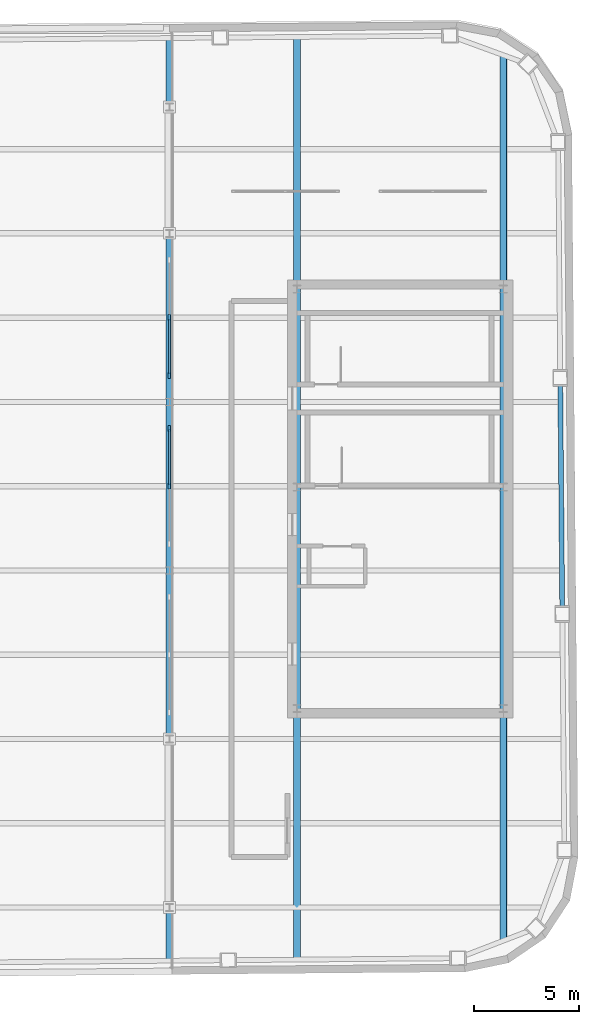
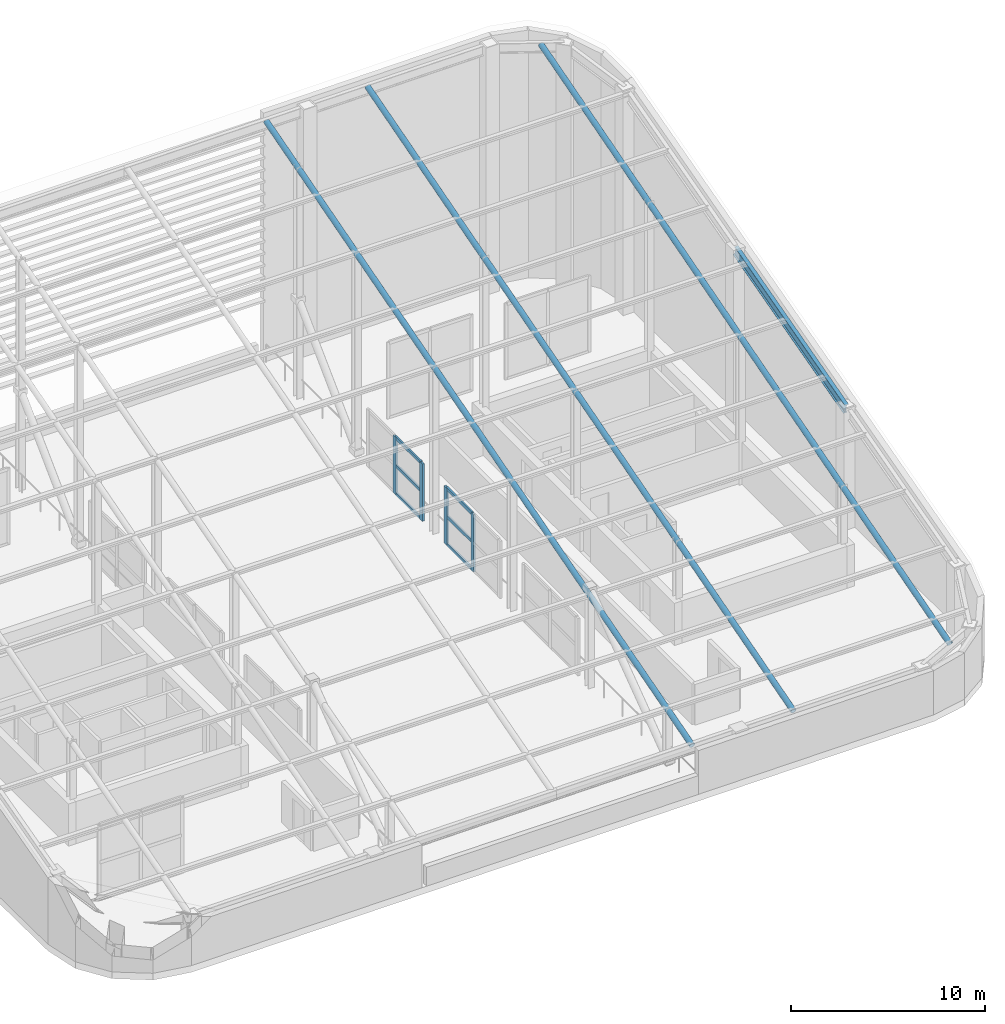
# One storey, part 10 of 17: 13 members, 1 beam, 2 elements without a shape of their own.
"""IFC4 building model written with IfcOpenShell, lengths in metres."""

from ifc_helpers import new_model, si_unit, direction, frame, origin, origin_2d, place, context, subcontext, project, spatial, rectangle, hollow_circle, i_section, extrude, material, material_profile, profile_set, type_object, element, aggregate, save


model = new_model("IFC4")

# Units and contexts
model_context = context("Model", 3, precision=1e-05, world=origin(), true_north=direction((0.0, 1.0)))
body_context = subcontext(model_context, "Body", "Model", "MODEL_VIEW")
ifc_project = project(units=[si_unit("LENGTHUNIT", "METRE"), si_unit("AREAUNIT", "SQUARE_METRE"), si_unit("VOLUMEUNIT", "CUBIC_METRE"), si_unit("PLANEANGLEUNIT", "RADIAN"), si_unit("MASSUNIT", "GRAM", prefix="KILO")], contexts=[model_context])

# Site, building, storey
site_placement = place(None, origin())
site = spatial("IfcSite", under=ifc_project, at=site_placement, CompositionType="ELEMENT")
building_placement = place(site_placement, origin())
building = spatial("IfcBuilding", under=site, at=building_placement, Name="Kolvaren Arena Tower", CompositionType="ELEMENT")
storey_placement = place(building_placement, frame((0.0, 0.0, 322.0)))
storey = spatial("IfcBuildingStorey", under=building, at=storey_placement, Name="Roof Crown", CompositionType="ELEMENT", Elevation=322.0)

# Members
ifc_material_1 = material(Name="Steel CSA G40.21 350WT", Category="steel")
ifc_material_profile_1 = material_profile(ifc_material_1, hollow_circle(Radius=0.162109375, WallThickness=0.01611328125, at=origin_2d()), Name="CHS 324x16")
ifc_profile_set_1 = profile_set([ifc_material_profile_1], Name="Steel CSA G40.21 350WT")
member_type_1 = type_object("IfcMemberType", Name="CR-BRACE1", PredefinedType="RAFTER", material=ifc_profile_set_1)
member_1_placement = place(storey_placement, frame((44.5, 7.4716796875, 2.68798828125), z_axis=(0.0, 0.960878016839, 0.276971906075), x_axis=(-1.0, 0.0, 0.0)))
element("IfcMember", 1, at=member_1_placement, inside=storey, type_object=member_type_1, Name="Sloped Crown Roof Rafter 05", PredefinedType="RAFTER", context=body_context, shape_type="SweptSolid", body=[
    extrude(hollow_circle(Radius=0.162109375, WallThickness=0.01611328125, at=origin_2d()), origin(), (0.0, 0.0, 1.0), 45.5849609375),
])
member_2_placement = place(storey_placement, frame((50.550048828125, 7.5244140625, 2.703125), z_axis=(0.0, 0.960877002341, 0.276975425574), x_axis=(-1.0, 0.0, 0.0)))
element("IfcMember", 2, at=member_2_placement, inside=storey, type_object=member_type_1, Name="Sloped Crown Roof Rafter 06", PredefinedType="RAFTER", context=body_context, shape_type="SweptSolid", body=[
    extrude(hollow_circle(Radius=0.162109375, WallThickness=0.01611328125, at=origin_2d()), origin(), (0.0, 0.0, 1.0), 45.585205078125),
])
member_3_placement = place(storey_placement, frame((60.35009765625, 8.4228515625, 2.962158203125), z_axis=(0.0, 0.960878413944, 0.276970528427), x_axis=(-1.0, 0.0, 0.0)))
element("IfcMember", 3, at=member_3_placement, inside=storey, type_object=member_type_1, Name="Sloped Crown Roof Rafter 07", PredefinedType="RAFTER", context=body_context, shape_type="SweptSolid", body=[
    extrude(hollow_circle(Radius=0.162109375, WallThickness=0.01611328125, at=origin_2d()), origin(), (0.0, 0.0, 1.0), 43.75),
])

# Curtain wall, members
ifc_material_2 = material(Name="Anodised aluminium unitised curtain wall", Category="aluminium")
curtain_wall_type = type_object("IfcCurtainWallType", Name="CW-SYS-04", PredefinedType="USERDEFINED", material=ifc_material_2)
curtain_wall_1_placement = place(storey_placement, origin())
curtain_wall_1 = element("IfcCurtainWall", 4, at=curtain_wall_1_placement, inside=storey, type_object=curtain_wall_type, Name="Wind-Portal Throat Acoustic Curtain Screen (Roof Crown)", ObjectType="ACOUSTIC LOUVRE SCREEN", PredefinedType="USERDEFINED")
ifc_material_3 = material(Name="Anodised aluminium 6063-T6", Category="aluminium")
ifc_material_profile_2 = material_profile(ifc_material_3, rectangle(XDim=0.1201171875, YDim=0.280029296875, at=origin_2d()), Name="ALU-120x280")
ifc_profile_set_2 = profile_set([ifc_material_profile_2], Name="Anodised aluminium 6063-T6")
member_type_2 = type_object("IfcMemberType", Name="CWM-PORT", PredefinedType="MULLION", material=ifc_profile_set_2)
member_4_placement = place(storey_placement, frame((44.5, 30.0, 0.0), z_axis=(0.0, 0.0, 1.0), x_axis=(-1.0, 0.0, 0.0)))
member_4 = element("IfcMember", 5, at=member_4_placement, type_object=member_type_2, Name="CW4 mullion 2", PredefinedType="MULLION", context=body_context, shape_type="SweptSolid", body=[
    extrude(rectangle(XDim=0.1201171875, YDim=0.280029296875, at=origin_2d()), origin(), (0.0, 0.0, 1.0), 3.60009765625),
])
member_5_placement = place(storey_placement, frame((44.5, 32.739990234375, 0.0), z_axis=(0.0, 0.0, 1.0), x_axis=(-1.0, 0.0, 0.0)))
member_5 = element("IfcMember", 6, at=member_5_placement, type_object=member_type_2, Name="CW4 mullion 3", PredefinedType="MULLION", context=body_context, shape_type="SweptSolid", body=[
    extrude(rectangle(XDim=0.1201171875, YDim=0.280029296875, at=origin_2d()), origin(), (0.0, 0.0, 1.0), 3.60009765625),
])

curtain_wall_2_placement = place(storey_placement, origin())
curtain_wall_2 = element("IfcCurtainWall", 7, at=curtain_wall_2_placement, inside=storey, type_object=curtain_wall_type, Name="Wind-Portal Throat Acoustic Curtain Screen (Roof Crown)", ObjectType="ACOUSTIC LOUVRE SCREEN", PredefinedType="USERDEFINED")
member_6_placement = place(storey_placement, frame((44.5, 35.260009765625, 0.0), z_axis=(0.0, 0.0, 1.0), x_axis=(-1.0, 0.0, 0.0)))
member_6 = element("IfcMember", 8, at=member_6_placement, type_object=member_type_2, Name="CW4 mullion 1", PredefinedType="MULLION", context=body_context, shape_type="SweptSolid", body=[
    extrude(rectangle(XDim=0.1201171875, YDim=0.280029296875, at=origin_2d()), origin(), (0.0, 0.0, 1.0), 3.60009765625),
])
member_7_placement = place(storey_placement, frame((44.5, 38.0, 0.0), z_axis=(0.0, 0.0, 1.0), x_axis=(-1.0, 0.0, 0.0)))
member_7 = element("IfcMember", 9, at=member_7_placement, type_object=member_type_2, Name="CW4 mullion 2", PredefinedType="MULLION", context=body_context, shape_type="SweptSolid", body=[
    extrude(rectangle(XDim=0.1201171875, YDim=0.280029296875, at=origin_2d()), origin(), (0.0, 0.0, 1.0), 3.60009765625),
])

# Member
ifc_material_profile_3 = material_profile(ifc_material_3, rectangle(XDim=0.10009765625, YDim=0.199951171875, at=origin_2d()), Name="ALU-100x200")
ifc_profile_set_3 = profile_set([ifc_material_profile_3], Name="Anodised aluminium 6063-T6")
member_type_3 = type_object("IfcMemberType", Name="CWT-HVY", PredefinedType="USERDEFINED", material=ifc_profile_set_3)
member_8_placement = place(storey_placement, frame((44.5, 30.06005859375, 0.050048828125), z_axis=(0.0, 1.0, 0.0), x_axis=(-1.0, 0.0, 0.0)))
member_8 = element("IfcMember", 10, at=member_8_placement, type_object=member_type_3, Name="CW4 transom 2.1", ObjectType="TRANSOM", PredefinedType="USERDEFINED", context=body_context, shape_type="SweptSolid", body=[
    extrude(rectangle(XDim=0.10009765625, YDim=0.199951171875, at=origin_2d()), origin(), (0.0, 0.0, 1.0), 2.619873046875),
])

member_9_placement = place(storey_placement, frame((44.5, 30.06005859375, 1.800048828125), z_axis=(0.0, 1.0, 0.0), x_axis=(-1.0, 0.0, 0.0)))
member_9 = element("IfcMember", 11, at=member_9_placement, type_object=member_type_3, Name="CW4 transom 2.2", ObjectType="TRANSOM", PredefinedType="USERDEFINED", context=body_context, shape_type="SweptSolid", body=[
    extrude(rectangle(XDim=0.10009765625, YDim=0.199951171875, at=origin_2d()), origin(), (0.0, 0.0, 1.0), 2.619873046875),
])

member_10_placement = place(storey_placement, frame((44.5, 30.06005859375, 3.550048828125), z_axis=(0.0, 1.0, 0.0), x_axis=(-1.0, 0.0, 0.0)))
member_10 = element("IfcMember", 12, at=member_10_placement, type_object=member_type_3, Name="CW4 transom 2.3", ObjectType="TRANSOM", PredefinedType="USERDEFINED", context=body_context, shape_type="SweptSolid", body=[
    extrude(rectangle(XDim=0.10009765625, YDim=0.199951171875, at=origin_2d()), origin(), (0.0, 0.0, 1.0), 2.619873046875),
])

aggregate(curtain_wall_1, [member_4, member_5, member_8, member_9, member_10])

member_11_placement = place(storey_placement, frame((44.5, 35.320068359375, 0.050048828125), z_axis=(0.0, 1.0, 0.0), x_axis=(-1.0, 0.0, 0.0)))
member_11 = element("IfcMember", 13, at=member_11_placement, type_object=member_type_3, Name="CW4 transom 1.1", ObjectType="TRANSOM", PredefinedType="USERDEFINED", context=body_context, shape_type="SweptSolid", body=[
    extrude(rectangle(XDim=0.10009765625, YDim=0.199951171875, at=origin_2d()), origin(), (0.0, 0.0, 1.0), 2.619873046875),
])

member_12_placement = place(storey_placement, frame((44.5, 35.320068359375, 1.800048828125), z_axis=(0.0, 1.0, 0.0), x_axis=(-1.0, 0.0, 0.0)))
member_12 = element("IfcMember", 14, at=member_12_placement, type_object=member_type_3, Name="CW4 transom 1.2", ObjectType="TRANSOM", PredefinedType="USERDEFINED", context=body_context, shape_type="SweptSolid", body=[
    extrude(rectangle(XDim=0.10009765625, YDim=0.199951171875, at=origin_2d()), origin(), (0.0, 0.0, 1.0), 2.619873046875),
])

member_13_placement = place(storey_placement, frame((44.5, 35.320068359375, 3.550048828125), z_axis=(0.0, 1.0, 0.0), x_axis=(-1.0, 0.0, 0.0)))
member_13 = element("IfcMember", 15, at=member_13_placement, type_object=member_type_3, Name="CW4 transom 1.3", ObjectType="TRANSOM", PredefinedType="USERDEFINED", context=body_context, shape_type="SweptSolid", body=[
    extrude(rectangle(XDim=0.10009765625, YDim=0.199951171875, at=origin_2d()), origin(), (0.0, 0.0, 1.0), 2.619873046875),
])

aggregate(curtain_wall_2, [member_6, member_7, member_11, member_12, member_13])

# Beam
ifc_material_4 = material(Name="Steel CSA G40.21 350W", Category="steel")
ifc_material_profile_4 = material_profile(ifc_material_4, i_section(OverallWidth=0.22802734375, OverallDepth=0.615966796875, WebThickness=0.013916015625, FlangeThickness=0.02490234375, FilletRadius=0.014892578125, at=origin_2d()), Name="W610x174")
ifc_profile_set_4 = profile_set([ifc_material_profile_4], Name="Steel CSA G40.21 350W")
beam_type = type_object("IfcBeamType", Name="GIRD-T3", PredefinedType="BEAM", material=ifc_profile_set_4)
beam_placement = place(storey_placement, frame((63.147705078125, 23.93505859375, 7.298583984375), z_axis=(-0.008378291162, 0.96084337618, 0.276965360086), x_axis=(-0.999961985355, -0.008719394723, 0.0)))
element("IfcBeam", 16, at=beam_placement, inside=storey, type_object=beam_type, Name="Sloped Crown Roof Perimeter Ring Beam 08", PredefinedType="BEAM", context=body_context, shape_type="SweptSolid", body=[
    extrude(i_section(OverallWidth=0.22802734375, OverallDepth=0.615966796875, WebThickness=0.013916015625, FlangeThickness=0.02490234375, FilletRadius=0.014892578125, at=origin_2d()), origin(), (0.0, 0.0, 1.0), 11.65576171875),
])

save(model, "model.ifc")
